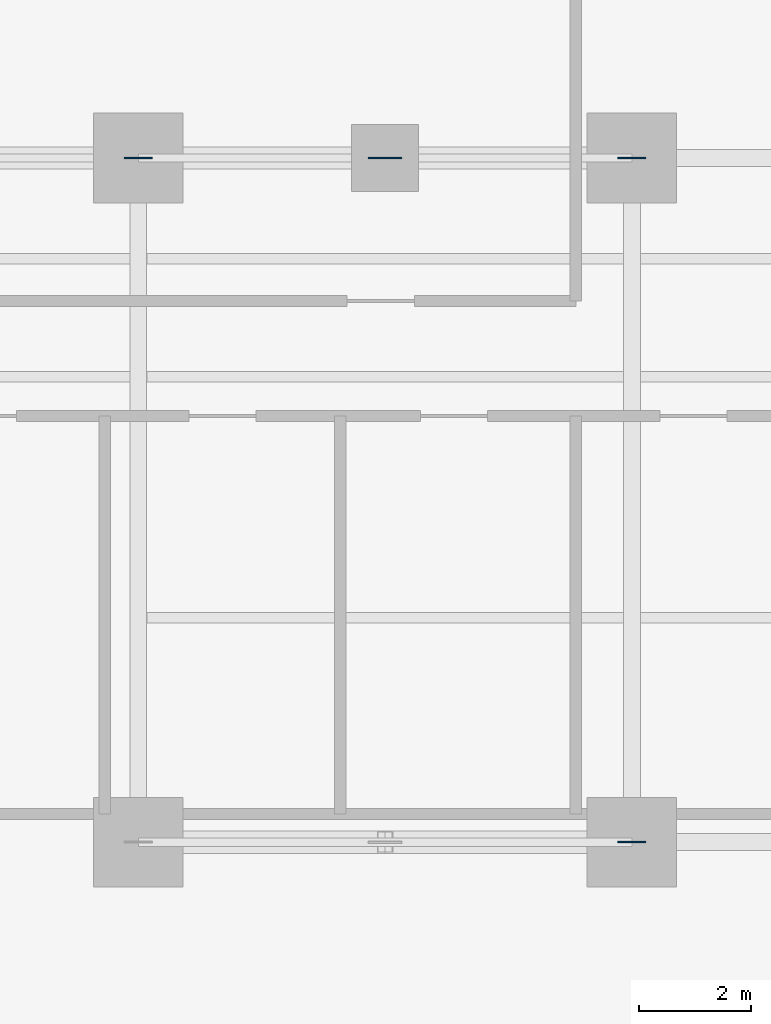
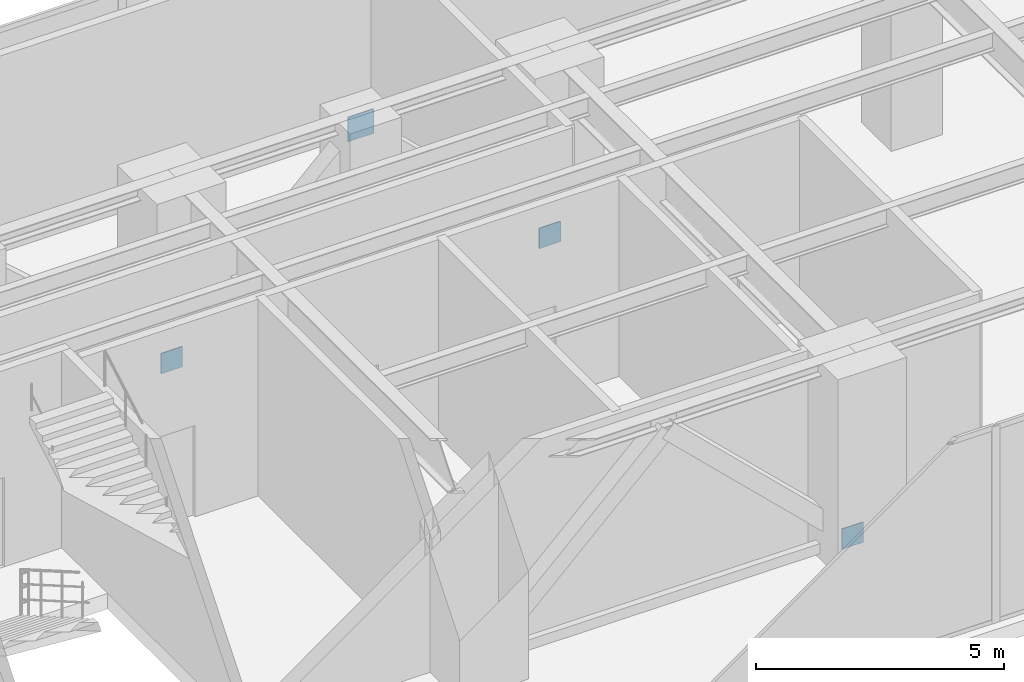
# One storey, part 30 of 36: 4 plates.
"""IFC4 building model written with IfcOpenShell, lengths in metres."""

from ifc_helpers import new_model, si_unit, direction, frame, origin, origin_with_axes, origin_2d, place, context, subcontext, project, spatial, rectangle, extrude, source, transform, mapped, material, layer, layer_set, type_object, element, save


model = new_model("IFC4")

# Units and contexts
model_context = context("Model", 3, precision=1e-05, world=origin(), true_north=direction((0.0, 1.0)))
body_context = subcontext(model_context, "Body", "Model", "MODEL_VIEW")
ifc_project = project(units=[si_unit("LENGTHUNIT", "METRE"), si_unit("AREAUNIT", "SQUARE_METRE"), si_unit("VOLUMEUNIT", "CUBIC_METRE"), si_unit("PLANEANGLEUNIT", "RADIAN"), si_unit("MASSUNIT", "GRAM", prefix="KILO")], contexts=[model_context])

# Site, building, storey
site_placement = place(None, origin())
site = spatial("IfcSite", under=ifc_project, at=site_placement, CompositionType="ELEMENT")
building_placement = place(site_placement, origin())
building = spatial("IfcBuilding", under=site, at=building_placement, Name="Kolvaren Waterfront Exchange", CompositionType="ELEMENT")
storey_placement = place(building_placement, frame((0.0, 0.0, 82.800048828125)))
storey = spatial("IfcBuildingStorey", under=building, at=storey_placement, Name="L21", CompositionType="ELEMENT", Elevation=82.800048828125)

# Plates
ifc_material_1 = material(Name="Steel S460", Category="steel")
ifc_layer_1 = layer(ifc_material_1, 0.030029296875, Name="Steel S460")
ifc_layer_set_1 = layer_set([ifc_layer_1], Name="Steel S460")
plate_type_1 = type_object("IfcPlateType", Name="STR-PL-BN1", PredefinedType="SHEET", material=ifc_layer_set_1)
shared_shape_1 = source(origin_with_axes(), body_context, "Body", "SweptSolid", [
    extrude(rectangle(XDim=0.60009765625, YDim=0.030029296875, at=origin_2d()), origin(), (0.0, 0.0, 1.0), 0.60009765625),
])
plate_placement = place(storey_placement, frame((41.199951171875, 17.39990234375, 4.18994140625), z_axis=(0.0, 0.0, 1.0), x_axis=(1.0, 0.0, 0.0)))
element("IfcPlate", 1, at=plate_placement, inside=storey, type_object=plate_type_1, Name="L21 belt-truss chevron apex gusset BT2", PredefinedType="SHEET", context=body_context, shape_type="MappedRepresentation", body=[
    mapped(shared_shape_1, transform((0.0, 0.0, 0.0), x_axis=(1.0, 0.0, 0.0), y_axis=(0.0, 1.0, 0.0), z_axis=(0.0, 0.0, 1.0), scale=1.0)),
])
ifc_material_2 = material(Name="Steel S355", Category="steel")
ifc_layer_2 = layer(ifc_material_2, 0.02490234375, Name="Steel S355")
ifc_layer_set_2 = layer_set([ifc_layer_2], Name="Steel S355")
plate_type_2 = type_object("IfcPlateType", Name="STR-PL-BN2", PredefinedType="SHEET", material=ifc_layer_set_2)
shared_shape_2 = source(origin_with_axes(), body_context, "Body", "SweptSolid", [
    extrude(rectangle(XDim=0.5, YDim=0.02490234375, at=origin_2d()), origin(), (0.0, 0.0, 1.0), 0.5),
])
for number, where, z_axis, x_axis, name in (
    (2, (36.800048828125, 17.39990234375, 0.0), (0.0, 0.0, 1.0), (1.0, 0.0, 0.0), "L21 belt-truss end cap plate BT1.2"),
    (3, (45.60009765625, 17.39990234375, 0.0), (0.0, 0.0, 1.0), (1.0, 0.0, 0.0), "L21 belt-truss end cap plate BT2.2"),
    (4, (45.60009765625, 5.199951171875, 0.0), (0.0, 0.0, 1.0), (1.0, 0.0, 0.0), "L21 belt-truss end cap plate BT3.2"),
):
    element("IfcPlate", number, at=place(storey_placement, frame(where, z_axis=z_axis, x_axis=x_axis)), inside=storey, type_object=plate_type_2, Name=name, PredefinedType="SHEET", context=body_context, shape_type="MappedRepresentation", body=[
        mapped(shared_shape_2, transform((0.0, 0.0, 0.0), x_axis=(1.0, 0.0, 0.0), y_axis=(0.0, 1.0, 0.0), z_axis=(0.0, 0.0, 1.0), scale=1.0)),
    ])

save(model, "model.ifc")
